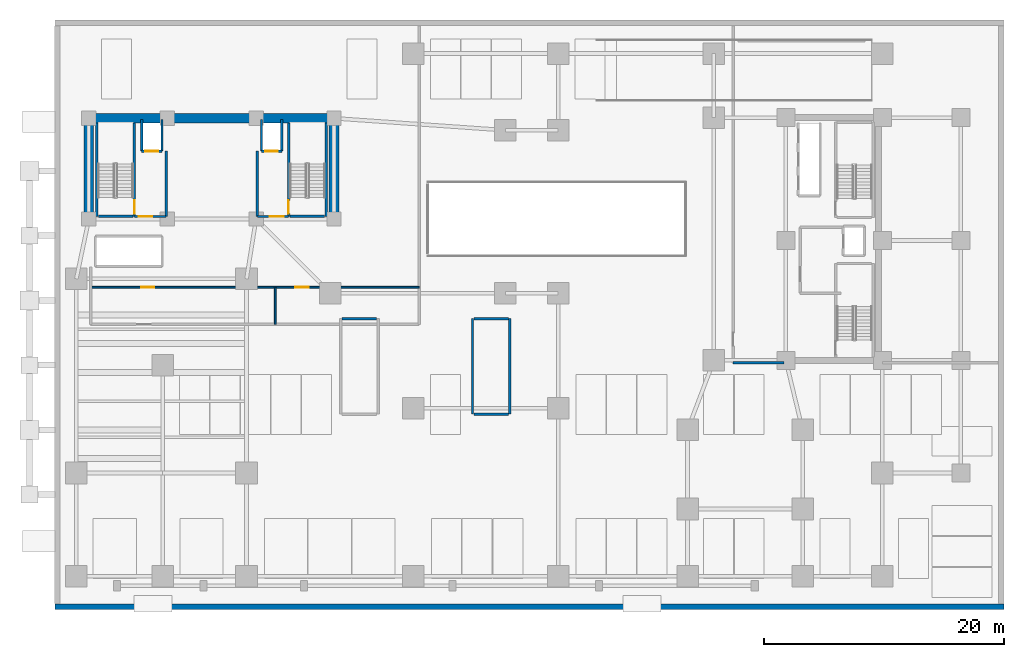
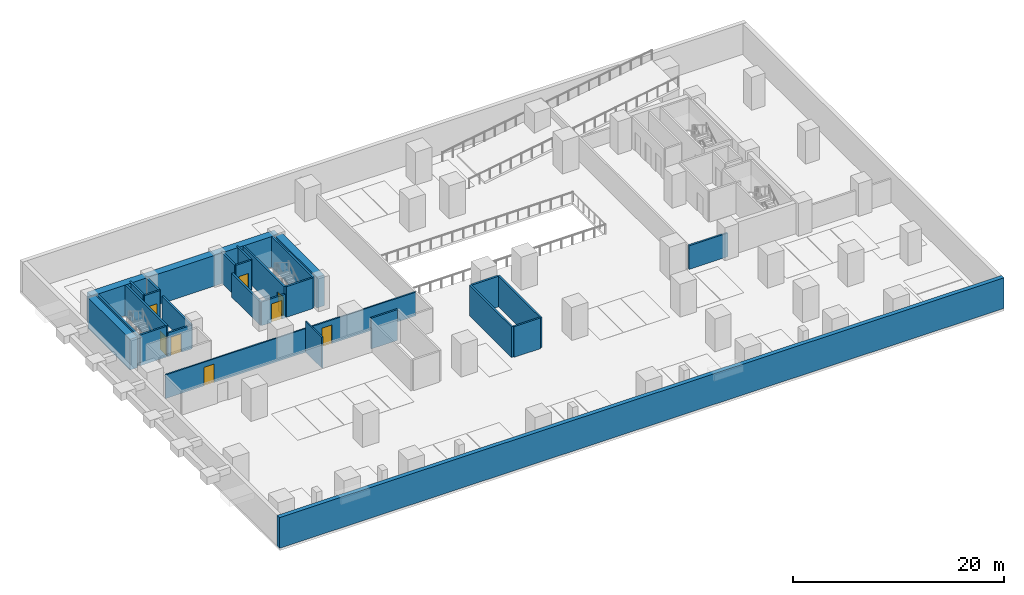
# One storey, part 3 of 9: 28 walls, 8 doors, 8 openings.
"""IFC4 building model written with IfcOpenShell, lengths in metres."""

from ifc_helpers import new_model, si_unit, direction, frame, frame_2d, origin, place, context, subcontext, project, spatial, rectangle, extrude, material, layer, layer_set, type_object, element, fill, save


model = new_model("IFC4")

# Units and contexts
model_context = context("Model", 3, precision=1e-05, world=origin(), true_north=direction((0.0, 1.0)))
body_context = subcontext(model_context, "Body", "Model", "MODEL_VIEW")
ifc_project = project(units=[si_unit("LENGTHUNIT", "METRE"), si_unit("AREAUNIT", "SQUARE_METRE"), si_unit("VOLUMEUNIT", "CUBIC_METRE"), si_unit("PLANEANGLEUNIT", "RADIAN"), si_unit("MASSUNIT", "GRAM", prefix="KILO")], contexts=[model_context])

# Site, building, storey
site_placement = place(None, origin())
site = spatial("IfcSite", under=ifc_project, at=site_placement, CompositionType="ELEMENT")
building_placement = place(site_placement, origin())
building = spatial("IfcBuilding", under=site, at=building_placement, Name="Kuzgunbayir Cultural Tower", CompositionType="ELEMENT")
storey_placement = place(building_placement, frame((0.0, 0.0, -3.800048828125)))
storey = spatial("IfcBuildingStorey", under=building, at=storey_placement, Name="B01", CompositionType="ELEMENT", Elevation=-3.800048828125)

# Walls
ifc_material_1 = material(Name="Concrete C60/75", Category="concrete")
ifc_layer_1 = layer(ifc_material_1, 0.800048828125)
ifc_layer_set_1 = layer_set([ifc_layer_1], Name="Concrete C60/75")
wall_type_1 = type_object("IfcWallType", Name="WAL-CORE-800", PredefinedType="SHEAR", material=ifc_layer_set_1)
wall_1_placement = place(storey_placement, frame((6.449951171875, 42.199951171875, 0.0), z_axis=(0.0, 0.0, 1.0), x_axis=(1.0, 0.0, 0.0)))
element("IfcWall", 1, at=wall_1_placement, inside=storey, type_object=wall_type_1, Name="B01 T1 Core North Shear Wall", PredefinedType="SHEAR", context=body_context, shape_type="SweptSolid", body=[
    extrude(rectangle(XDim=20.449951171875, YDim=0.800048828125, at=frame_2d((10.22509765625, 0.0))), origin(), (0.0, 0.0, 1.0), 3.550048828125),
])
for number, where, z_axis, x_axis, name in (
    (2, (6.449951171875, 33.800048828125, 0.0), (0.0, 0.0, 1.0), (0.0, 1.0, 0.0), "B01 T1 Core West Shear Wall"),
    (3, (26.89990234375, 33.800048828125, 0.0), (0.0, 0.0, 1.0), (0.0, 1.0, 0.0), "B01 T1 Core East Shear Wall"),
):
    element("IfcWall", number, at=place(storey_placement, frame(where, z_axis=z_axis, x_axis=x_axis)), inside=storey, type_object=wall_type_1, Name=name, PredefinedType="SHEAR", context=body_context, shape_type="SweptSolid", body=[
        extrude(rectangle(XDim=7.949951171875, YDim=0.800048828125, at=frame_2d((3.97509765625, 0.0))), origin(), (0.0, 0.0, 1.0), 3.550048828125),
    ])
ifc_material_2 = material(Name="Concrete C40/50", Category="concrete")
ifc_layer_2 = layer(ifc_material_2, 0.449951171875)
ifc_layer_set_2 = layer_set([ifc_layer_2], Name="Concrete C40/50")
wall_type_2 = type_object("IfcWallType", Name="WAL-EXT-BSM-450", PredefinedType="SOLIDWALL", material=ifc_layer_set_2)
wall_2_placement = place(storey_placement, frame((3.60009765625, 1.449951171875, 0.0), z_axis=(0.0, 0.0, 1.0), x_axis=(1.0, 0.0, 0.0)))
element("IfcWall", 4, at=wall_2_placement, inside=storey, type_object=wall_type_2, Name="B01 South Retaining Wall", PredefinedType="SOLIDWALL", context=body_context, shape_type="SweptSolid", body=[
    extrude(rectangle(XDim=79.199951171875, YDim=0.449951171875, at=frame_2d((39.60009765625, 0.0))), origin(), (0.0, 0.0, 1.0), 3.550048828125),
])

# Wall, openings, doors
ifc_material_3 = material(Name="Acoustic Double-Stud Drywall", Category="gypsum")
ifc_layer_3 = layer(ifc_material_3, 0.14990234375)
ifc_layer_set_3 = layer_set([ifc_layer_3], Name="Acoustic Double-Stud Drywall")
wall_type_3 = type_object("IfcWallType", Name="WAL-PART-ACOUSTIC-150", PredefinedType="PARTITIONING", material=ifc_layer_set_3)
wall_3_placement = place(storey_placement, frame((6.60009765625, 28.10009765625, 0.0), z_axis=(0.0, 0.0, 1.0), x_axis=(1.0, 0.0, 0.0)))
wall_3 = element("IfcWall", 5, at=wall_3_placement, inside=storey, type_object=wall_type_3, Name="B01 Basement Core Corridor Wall", PredefinedType="PARTITIONING", context=body_context, shape_type="SweptSolid", body=[
    extrude(rectangle(XDim=27.39990234375, YDim=0.14990234375, at=frame_2d((13.699951171875, 0.0))), origin(), (0.0, 0.0, 1.0), 2.739990234375),
])
opening_1_placement = place(wall_3_placement, frame((4.199951171875, 0.0, 0.0)))
opening_1 = element("IfcOpeningElement", 6, at=opening_1_placement, cuts=wall_3, Name="Opening DR-STAIR-90", PredefinedType="OPENING", context=body_context, shape_type="SweptSolid", body=[
    extrude(rectangle(XDim=1.10009765625, YDim=2.14990234375, at=frame_2d((0.550048828125, 1.074951171875))), frame((0.0, 0.0849609375, 0.0), z_axis=(0.0, -1.0, 0.0), x_axis=(1.0, 0.0, 0.0)), (0.0, 0.0, 1.0), 0.169921875),
])
opening_2_placement = place(wall_3_placement, frame((17.080078125, 0.0, 0.0)))
opening_2 = element("IfcOpeningElement", 7, at=opening_2_placement, cuts=wall_3, Name="Opening DR-STAIR-90", PredefinedType="OPENING", context=body_context, shape_type="SweptSolid", body=[
    extrude(rectangle(XDim=1.10009765625, YDim=2.14990234375, at=frame_2d((0.550048828125, 1.074951171875))), frame((0.0, 0.0849609375, 0.0), z_axis=(0.0, -1.0, 0.0), x_axis=(1.0, 0.0, 0.0)), (0.0, 0.0, 1.0), 0.169921875),
])
ifc_material_4 = material(Name="Steel S355J2", Category="steel")
door_type_1 = type_object("IfcDoorType", Name="DR-STAIR-90", OperationType="NOTDEFINED", PredefinedType="DOOR", material=ifc_material_4)
door_1_placement = place(opening_1_placement, origin())
door_1 = element("IfcDoor", 8, at=door_1_placement, inside=storey, type_object=door_type_1, Name="B01 Shuttle Lobby to Core Corridor Door", OperationType="SINGLE_SWING_RIGHT", OverallHeight=2.14990234375, OverallWidth=1.10009765625, PredefinedType="DOOR", context=body_context, shape_type="SweptSolid", body=[
    extrude(rectangle(XDim=1.10009765625, YDim=2.14990234375, at=frame_2d((0.550048828125, 1.074951171875))), frame((0.0, 0.02490234375, 0.0), z_axis=(0.0, -1.0, 0.0), x_axis=(1.0, 0.0, 0.0)), (0.0, 0.0, 1.0), 0.050048828125),
])
fill(opening_1, door_1)
door_2_placement = place(opening_2_placement, origin())
door_2 = element("IfcDoor", 9, at=door_2_placement, inside=storey, type_object=door_type_1, Name="B01 Cycle Store to Core Corridor Door", OperationType="SINGLE_SWING_LEFT", OverallHeight=2.14990234375, OverallWidth=1.10009765625, PredefinedType="DOOR", context=body_context, shape_type="SweptSolid", body=[
    extrude(rectangle(XDim=1.10009765625, YDim=2.14990234375, at=frame_2d((0.550048828125, 1.074951171875))), frame((0.0, 0.02490234375, 0.0), z_axis=(0.0, -1.0, 0.0), x_axis=(1.0, 0.0, 0.0)), (0.0, 0.0, 1.0), 0.050048828125),
])
fill(opening_2, door_2)

# Walls
wall_4_placement = place(storey_placement, frame((22.0, 25.0, 0.0), z_axis=(0.0, 0.0, 1.0), x_axis=(0.0, 1.0, 0.0)))
element("IfcWall", 10, at=wall_4_placement, inside=storey, type_object=wall_type_3, Name="B01 Cycle Store Partition", PredefinedType="PARTITIONING", context=body_context, shape_type="SweptSolid", body=[
    extrude(rectangle(XDim=3.10009765625, YDim=0.14990234375, at=frame_2d((1.550048828125, 0.0))), origin(), (0.0, 0.0, 1.0), 3.550048828125),
])
ifc_material_5 = material(Name="Aerated Concrete Blockwork", Category="masonry")
ifc_layer_4 = layer(ifc_material_5, 0.199951171875)
ifc_layer_set_4 = layer_set([ifc_layer_4], Name="Aerated Concrete Blockwork")
wall_type_4 = type_object("IfcWallType", Name="WAL-PART-FIRE-200", PredefinedType="PARTITIONING", material=ifc_layer_set_4)
wall_5_placement = place(storey_placement, frame((12.89990234375, 34.0, 0.0), z_axis=(0.0, 0.0, 1.0), x_axis=(0.0, 1.0, 0.0)))
element("IfcWall", 11, at=wall_5_placement, inside=storey, type_object=wall_type_4, Name="B01 FFL-1 Lobby East Fire Wall", PredefinedType="PARTITIONING", context=body_context, shape_type="SweptSolid", body=[
    extrude(rectangle(XDim=5.449951171875, YDim=0.199951171875, at=frame_2d((2.72509765625, 0.0))), origin(), (0.0, 0.0, 1.0), 2.739990234375),
])

# Wall, opening, door
wall_6_placement = place(storey_placement, frame((10.239990234375, 34.0, 0.0), z_axis=(0.0, 0.0, 1.0), x_axis=(1.0, 0.0, 0.0)))
wall_6 = element("IfcWall", 12, at=wall_6_placement, inside=storey, type_object=wall_type_4, Name="B01 FFL-1 Lobby South Fire Wall", PredefinedType="PARTITIONING", context=body_context, shape_type="SweptSolid", body=[
    extrude(rectangle(XDim=2.659912109375, YDim=0.199951171875, at=frame_2d((1.330078125, 0.0))), origin(), (0.0, 0.0, 1.0), 2.739990234375),
])
opening_3_placement = place(wall_6_placement, frame((0.35009765625, 0.0, 0.0)))
opening_3 = element("IfcOpeningElement", 13, at=opening_3_placement, cuts=wall_6, Name="Opening DR-FFL-90", PredefinedType="OPENING", context=body_context, shape_type="SweptSolid", body=[
    extrude(rectangle(XDim=1.14990234375, YDim=2.14990234375, at=frame_2d((0.574951171875, 1.074951171875))), frame((0.0, 0.10986328125, 0.0), z_axis=(0.0, -1.0, 0.0), x_axis=(1.0, 0.0, 0.0)), (0.0, 0.0, 1.0), 0.219970703125),
])
door_type_2 = type_object("IfcDoorType", Name="DR-FFL-90", OperationType="NOTDEFINED", PredefinedType="DOOR", material=ifc_material_4)
door_3_placement = place(opening_3_placement, origin())
door_3 = element("IfcDoor", 14, at=door_3_placement, inside=storey, type_object=door_type_2, Name="B01 Firefighting Lobby 1 Door", OperationType="SINGLE_SWING_RIGHT", OverallHeight=2.14990234375, OverallWidth=1.14990234375, PredefinedType="DOOR", context=body_context, shape_type="SweptSolid", body=[
    extrude(rectangle(XDim=1.14990234375, YDim=2.14990234375, at=frame_2d((0.574951171875, 1.074951171875))), frame((0.0, 0.02490234375, 0.0), z_axis=(0.0, -1.0, 0.0), x_axis=(1.0, 0.0, 0.0)), (0.0, 0.0, 1.0), 0.050048828125),
])
fill(opening_3, door_3)

# Wall
wall_7_placement = place(storey_placement, frame((20.5, 34.0, 0.0), z_axis=(0.0, 0.0, 1.0), x_axis=(0.0, 1.0, 0.0)))
element("IfcWall", 15, at=wall_7_placement, inside=storey, type_object=wall_type_4, Name="B01 FFL-2 Lobby West Fire Wall", PredefinedType="PARTITIONING", context=body_context, shape_type="SweptSolid", body=[
    extrude(rectangle(XDim=5.449951171875, YDim=0.199951171875, at=frame_2d((2.72509765625, 0.0))), origin(), (0.0, 0.0, 1.0), 2.739990234375),
])

# Wall, opening, door
wall_8_placement = place(storey_placement, frame((20.5, 34.0, 0.0), z_axis=(0.0, 0.0, 1.0), x_axis=(1.0, 0.0, 0.0)))
wall_8 = element("IfcWall", 16, at=wall_8_placement, inside=storey, type_object=wall_type_4, Name="B01 FFL-2 Lobby South Fire Wall", PredefinedType="PARTITIONING", context=body_context, shape_type="SweptSolid", body=[
    extrude(rectangle(XDim=2.60009765625, YDim=0.199951171875, at=frame_2d((1.300048828125, 0.0))), origin(), (0.0, 0.0, 1.0), 2.739990234375),
])
opening_4_placement = place(wall_8_placement, frame((1.050048828125, 0.0, 0.0)))
opening_4 = element("IfcOpeningElement", 17, at=opening_4_placement, cuts=wall_8, Name="Opening DR-FFL-90", PredefinedType="OPENING", context=body_context, shape_type="SweptSolid", body=[
    extrude(rectangle(XDim=1.14990234375, YDim=2.14990234375, at=frame_2d((0.574951171875, 1.074951171875))), frame((0.0, 0.10986328125, 0.0), z_axis=(0.0, -1.0, 0.0), x_axis=(1.0, 0.0, 0.0)), (0.0, 0.0, 1.0), 0.219970703125),
])
door_4_placement = place(opening_4_placement, origin())
door_4 = element("IfcDoor", 18, at=door_4_placement, inside=storey, type_object=door_type_2, Name="B01 Firefighting Lobby 2 Door", OperationType="SINGLE_SWING_LEFT", OverallHeight=2.14990234375, OverallWidth=1.14990234375, PredefinedType="DOOR", context=body_context, shape_type="SweptSolid", body=[
    extrude(rectangle(XDim=1.14990234375, YDim=2.14990234375, at=frame_2d((0.574951171875, 1.074951171875))), frame((0.0, 0.02490234375, 0.0), z_axis=(0.0, -1.0, 0.0), x_axis=(1.0, 0.0, 0.0)), (0.0, 0.0, 1.0), 0.050048828125),
])
fill(opening_4, door_4)

# Wall
wall_9_placement = place(storey_placement, frame((60.199951171875, 21.800048828125, 0.0), z_axis=(0.0, 0.0, 1.0), x_axis=(1.0, 0.0, 0.0)))
element("IfcWall", 19, at=wall_9_placement, inside=storey, type_object=wall_type_4, Name="B01 Companion Basement South Wall", PredefinedType="PARTITIONING", context=body_context, shape_type="SweptSolid", body=[
    extrude(rectangle(XDim=4.25, YDim=0.199951171875, at=frame_2d((2.125, 0.0))), origin(), (0.0, 0.0, 1.0), 2.739990234375),
])

# Wall, opening, door
ifc_layer_5 = layer(ifc_material_2, 0.199951171875)
ifc_layer_set_5 = layer_set([ifc_layer_5], Name="Concrete C40/50")
wall_type_5 = type_object("IfcWallType", Name="WAL-SHAFT-200", PredefinedType="MOVABLE", material=ifc_layer_set_5)
wall_10_placement = place(storey_placement, frame((10.85009765625, 39.449951171875, 0.0), z_axis=(0.0, 0.0, 1.0), x_axis=(1.0, 0.0, 0.0)))
wall_10 = element("IfcWall", 20, at=wall_10_placement, inside=storey, type_object=wall_type_5, Name="B01 FFL-1 Lift Front Wall", PredefinedType="MOVABLE", context=body_context, shape_type="SweptSolid", body=[
    extrude(rectangle(XDim=1.699951171875, YDim=0.199951171875, at=frame_2d((0.85009765625, 0.0))), origin(), (0.0, 0.0, 1.0), 3.550048828125),
])
opening_5_placement = place(wall_10_placement, frame((0.320068359375, 0.0, 0.0)))
opening_5 = element("IfcOpeningElement", 21, at=opening_5_placement, cuts=wall_10, Name="Opening LD", PredefinedType="OPENING", context=body_context, shape_type="SweptSolid", body=[
    extrude(rectangle(XDim=1.050048828125, YDim=2.14990234375, at=frame_2d((0.52490234375, 1.074951171875))), frame((0.0, 0.10986328125, 0.0), z_axis=(0.0, -1.0, 0.0), x_axis=(1.0, 0.0, 0.0)), (0.0, 0.0, 1.0), 0.219970703125),
])
ifc_material_6 = material(Name="Brushed Stainless Steel", Category="steel")
door_type_3 = type_object("IfcDoorType", Name="DR-LIFT-LANDING", OperationType="SLIDING_TO_LEFT", PredefinedType="DOOR", material=ifc_material_6)
door_5_placement = place(opening_5_placement, origin())
door_5 = element("IfcDoor", 22, at=door_5_placement, inside=storey, type_object=door_type_3, Name="B01 Lift FFL-1 Landing Door", OperationType="SLIDING_TO_LEFT", OverallHeight=2.14990234375, OverallWidth=1.050048828125, PredefinedType="DOOR", context=body_context, shape_type="SweptSolid", body=[
    extrude(rectangle(XDim=1.050048828125, YDim=2.14990234375, at=frame_2d((0.52490234375, 1.074951171875))), frame((0.0, 0.02490234375, 0.0), z_axis=(0.0, -1.0, 0.0), x_axis=(1.0, 0.0, 0.0)), (0.0, 0.0, 1.0), 0.050048828125),
])
fill(opening_5, door_5)

wall_11_placement = place(storey_placement, frame((20.85009765625, 39.449951171875, 0.0), z_axis=(0.0, 0.0, 1.0), x_axis=(1.0, 0.0, 0.0)))
wall_11 = element("IfcWall", 23, at=wall_11_placement, inside=storey, type_object=wall_type_5, Name="B01 FFL-2 Lift Front Wall", PredefinedType="MOVABLE", context=body_context, shape_type="SweptSolid", body=[
    extrude(rectangle(XDim=1.699951171875, YDim=0.199951171875, at=frame_2d((0.85009765625, 0.0))), origin(), (0.0, 0.0, 1.0), 3.550048828125),
])
opening_6_placement = place(wall_11_placement, frame((0.320068359375, 0.0, 0.0)))
opening_6 = element("IfcOpeningElement", 24, at=opening_6_placement, cuts=wall_11, Name="Opening LD", PredefinedType="OPENING", context=body_context, shape_type="SweptSolid", body=[
    extrude(rectangle(XDim=1.050048828125, YDim=2.14990234375, at=frame_2d((0.52490234375, 1.074951171875))), frame((0.0, 0.10986328125, 0.0), z_axis=(0.0, -1.0, 0.0), x_axis=(1.0, 0.0, 0.0)), (0.0, 0.0, 1.0), 0.219970703125),
])
door_6_placement = place(opening_6_placement, origin())
door_6 = element("IfcDoor", 25, at=door_6_placement, inside=storey, type_object=door_type_3, Name="B01 Lift FFL-2 Landing Door", OperationType="SLIDING_TO_LEFT", OverallHeight=2.14990234375, OverallWidth=1.050048828125, PredefinedType="DOOR", context=body_context, shape_type="SweptSolid", body=[
    extrude(rectangle(XDim=1.050048828125, YDim=2.14990234375, at=frame_2d((0.52490234375, 1.074951171875))), frame((0.0, 0.02490234375, 0.0), z_axis=(0.0, -1.0, 0.0), x_axis=(1.0, 0.0, 0.0)), (0.0, 0.0, 1.0), 0.050048828125),
])
fill(opening_6, door_6)

# Walls
for number, where, z_axis, x_axis, name in (
    (26, (10.85009765625, 39.449951171875, 0.0), (0.0, 0.0, 1.0), (0.0, 1.0, 0.0), "B01 FFL-1 Shaft West Wall"),
    (27, (12.550048828125, 39.449951171875, 0.0), (0.0, 0.0, 1.0), (0.0, 1.0, 0.0), "B01 FFL-1 Shaft East Wall"),
    (28, (20.85009765625, 39.449951171875, 0.0), (0.0, 0.0, 1.0), (0.0, 1.0, 0.0), "B01 FFL-2 Shaft West Wall"),
    (29, (22.550048828125, 39.449951171875, 0.0), (0.0, 0.0, 1.0), (0.0, 1.0, 0.0), "B01 FFL-2 Shaft East Wall"),
):
    element("IfcWall", number, at=place(storey_placement, frame(where, z_axis=z_axis, x_axis=x_axis)), inside=storey, type_object=wall_type_5, Name=name, PredefinedType="MOVABLE", context=body_context, shape_type="SweptSolid", body=[
        extrude(rectangle(XDim=2.650146484375, YDim=0.199951171875, at=frame_2d((1.3251953125, 0.0))), origin(), (0.0, 0.0, 1.0), 3.550048828125),
    ])
ifc_layer_6 = layer(ifc_material_2, 0.199951171875)
ifc_layer_set_6 = layer_set([ifc_layer_6], Name="Concrete C40/50")
wall_type_6 = type_object("IfcWallType", Name="WAL-STAIR-RC-200", PredefinedType="SHEAR", material=ifc_layer_set_6)
wall_12_placement = place(storey_placement, frame((7.1201171875, 34.02001953125, 0.0), z_axis=(0.0, 0.0, 1.0), x_axis=(0.0, 1.0, 0.0)))
element("IfcWall", 30, at=wall_12_placement, inside=storey, type_object=wall_type_6, Name="B01 Stair ST-1 West Structural Wall", PredefinedType="SHEAR", context=body_context, shape_type="SweptSolid", body=[
    extrude(rectangle(XDim=7.780029296875, YDim=0.199951171875, at=frame_2d((3.89013671875, 0.0))), origin(), (0.0, 0.0, 1.0), 3.550048828125),
])

# Wall, opening, door
wall_13_placement = place(storey_placement, frame((10.239990234375, 34.02001953125, 0.0), z_axis=(0.0, 0.0, 1.0), x_axis=(0.0, 1.0, 0.0)))
wall_13 = element("IfcWall", 31, at=wall_13_placement, inside=storey, type_object=wall_type_6, Name="B01 Stair ST-1 East Structural Wall", PredefinedType="SHEAR", context=body_context, shape_type="SweptSolid", body=[
    extrude(rectangle(XDim=7.780029296875, YDim=0.199951171875, at=frame_2d((3.89013671875, 0.0))), origin(), (0.0, 0.0, 1.0), 3.550048828125),
])
opening_7_placement = place(wall_13_placement, frame((0.219970703125, 0.0, 0.0)))
opening_7 = element("IfcOpeningElement", 32, at=opening_7_placement, cuts=wall_13, Name="Opening DR-STAIR-90", PredefinedType="OPENING", context=body_context, shape_type="SweptSolid", body=[
    extrude(rectangle(XDim=1.10009765625, YDim=2.14990234375, at=frame_2d((0.550048828125, 1.074951171875))), frame((0.0, 0.10986328125, 0.0), z_axis=(0.0, -1.0, 0.0), x_axis=(1.0, 0.0, 0.0)), (0.0, 0.0, 1.0), 0.219970703125),
])
door_7_placement = place(opening_7_placement, origin())
door_7 = element("IfcDoor", 33, at=door_7_placement, inside=storey, type_object=door_type_1, Name="B01 Stair ST-1 Fire Door", OperationType="SINGLE_SWING_LEFT", OverallHeight=2.14990234375, OverallWidth=1.10009765625, PredefinedType="DOOR", context=body_context, shape_type="SweptSolid", body=[
    extrude(rectangle(XDim=1.10009765625, YDim=2.14990234375, at=frame_2d((0.550048828125, 1.074951171875))), frame((0.0, 0.02490234375, 0.0), z_axis=(0.0, -1.0, 0.0), x_axis=(1.0, 0.0, 0.0)), (0.0, 0.0, 1.0), 0.050048828125),
])
fill(opening_7, door_7)

# Wall
wall_14_placement = place(storey_placement, frame((7.239990234375, 34.02001953125, 0.0), z_axis=(0.0, 0.0, 1.0), x_axis=(1.0, 0.0, 0.0)))
element("IfcWall", 34, at=wall_14_placement, inside=storey, type_object=wall_type_6, Name="B01 Stair ST-1 South Structural Wall", PredefinedType="SHEAR", context=body_context, shape_type="SweptSolid", body=[
    extrude(rectangle(XDim=2.880126953125, YDim=0.199951171875, at=frame_2d((1.43994140625, 0.0))), origin(), (0.0, 0.0, 1.0), 3.550048828125),
])

# Wall, opening, door
wall_15_placement = place(storey_placement, frame((23.1201171875, 34.02001953125, 0.0), z_axis=(0.0, 0.0, 1.0), x_axis=(0.0, 1.0, 0.0)))
wall_15 = element("IfcWall", 35, at=wall_15_placement, inside=storey, type_object=wall_type_6, Name="B01 Stair ST-2 West Structural Wall", PredefinedType="SHEAR", context=body_context, shape_type="SweptSolid", body=[
    extrude(rectangle(XDim=7.780029296875, YDim=0.199951171875, at=frame_2d((3.89013671875, 0.0))), origin(), (0.0, 0.0, 1.0), 3.550048828125),
])
opening_8_placement = place(wall_15_placement, frame((0.219970703125, 0.0, 0.0)))
opening_8 = element("IfcOpeningElement", 36, at=opening_8_placement, cuts=wall_15, Name="Opening DR-STAIR-90", PredefinedType="OPENING", context=body_context, shape_type="SweptSolid", body=[
    extrude(rectangle(XDim=1.10009765625, YDim=2.14990234375, at=frame_2d((0.550048828125, 1.074951171875))), frame((0.0, 0.10986328125, 0.0), z_axis=(0.0, -1.0, 0.0), x_axis=(1.0, 0.0, 0.0)), (0.0, 0.0, 1.0), 0.219970703125),
])
door_8_placement = place(opening_8_placement, origin())
door_8 = element("IfcDoor", 37, at=door_8_placement, inside=storey, type_object=door_type_1, Name="B01 Stair ST-2 Fire Door", OperationType="SINGLE_SWING_LEFT", OverallHeight=2.14990234375, OverallWidth=1.10009765625, PredefinedType="DOOR", context=body_context, shape_type="SweptSolid", body=[
    extrude(rectangle(XDim=1.10009765625, YDim=2.14990234375, at=frame_2d((0.550048828125, 1.074951171875))), frame((0.0, 0.02490234375, 0.0), z_axis=(0.0, -1.0, 0.0), x_axis=(1.0, 0.0, 0.0)), (0.0, 0.0, 1.0), 0.050048828125),
])
fill(opening_8, door_8)

# Walls
wall_16_placement = place(storey_placement, frame((26.239990234375, 34.02001953125, 0.0), z_axis=(0.0, 0.0, 1.0), x_axis=(0.0, 1.0, 0.0)))
element("IfcWall", 38, at=wall_16_placement, inside=storey, type_object=wall_type_6, Name="B01 Stair ST-2 East Structural Wall", PredefinedType="SHEAR", context=body_context, shape_type="SweptSolid", body=[
    extrude(rectangle(XDim=7.780029296875, YDim=0.199951171875, at=frame_2d((3.89013671875, 0.0))), origin(), (0.0, 0.0, 1.0), 3.550048828125),
])
wall_17_placement = place(storey_placement, frame((23.239990234375, 34.02001953125, 0.0), z_axis=(0.0, 0.0, 1.0), x_axis=(1.0, 0.0, 0.0)))
element("IfcWall", 39, at=wall_17_placement, inside=storey, type_object=wall_type_6, Name="B01 Stair ST-2 South Structural Wall", PredefinedType="SHEAR", context=body_context, shape_type="SweptSolid", body=[
    extrude(rectangle(XDim=2.880126953125, YDim=0.199951171875, at=frame_2d((1.43994140625, 0.0))), origin(), (0.0, 0.0, 1.0), 3.550048828125),
])
wall_18_placement = place(storey_placement, frame((27.580078125, 25.47998046875, 0.0), z_axis=(0.0, 0.0, 1.0), x_axis=(1.0, 0.0, 0.0)))
element("IfcWall", 40, at=wall_18_placement, inside=storey, type_object=wall_type_6, Name="B01 Riser Shaft ST-5 North Structural Wall", PredefinedType="SHEAR", context=body_context, shape_type="SweptSolid", body=[
    extrude(rectangle(XDim=2.8798828125, YDim=0.199951171875, at=frame_2d((1.43994140625, 0.0))), origin(), (0.0, 0.0, 1.0), 3.550048828125),
])
for number, where, z_axis, x_axis, name in (
    (41, (38.4599609375, 17.52001953125, 0.0), (0.0, 0.0, 1.0), (0.0, 1.0, 0.0), "B01 Riser Shaft ST-6 West Structural Wall"),
    (42, (41.580078125, 17.52001953125, 0.0), (0.0, 0.0, 1.0), (0.0, 1.0, 0.0), "B01 Riser Shaft ST-6 East Structural Wall"),
):
    element("IfcWall", number, at=place(storey_placement, frame(where, z_axis=z_axis, x_axis=x_axis)), inside=storey, type_object=wall_type_6, Name=name, PredefinedType="SHEAR", context=body_context, shape_type="SweptSolid", body=[
        extrude(rectangle(XDim=7.9599609375, YDim=0.199951171875, at=frame_2d((3.97998046875, 0.0))), origin(), (0.0, 0.0, 1.0), 3.550048828125),
    ])
for number, where, z_axis, x_axis, name in (
    (43, (38.580078125, 25.47998046875, 0.0), (0.0, 0.0, 1.0), (1.0, 0.0, 0.0), "B01 Riser Shaft ST-6 North Structural Wall"),
    (44, (38.580078125, 17.52001953125, 0.0), (0.0, 0.0, 1.0), (1.0, 0.0, 0.0), "B01 Riser Shaft ST-6 South Structural Wall"),
):
    element("IfcWall", number, at=place(storey_placement, frame(where, z_axis=z_axis, x_axis=x_axis)), inside=storey, type_object=wall_type_6, Name=name, PredefinedType="SHEAR", context=body_context, shape_type="SweptSolid", body=[
        extrude(rectangle(XDim=2.8798828125, YDim=0.199951171875, at=frame_2d((1.43994140625, 0.0))), origin(), (0.0, 0.0, 1.0), 3.550048828125),
    ])

save(model, "model.ifc")
